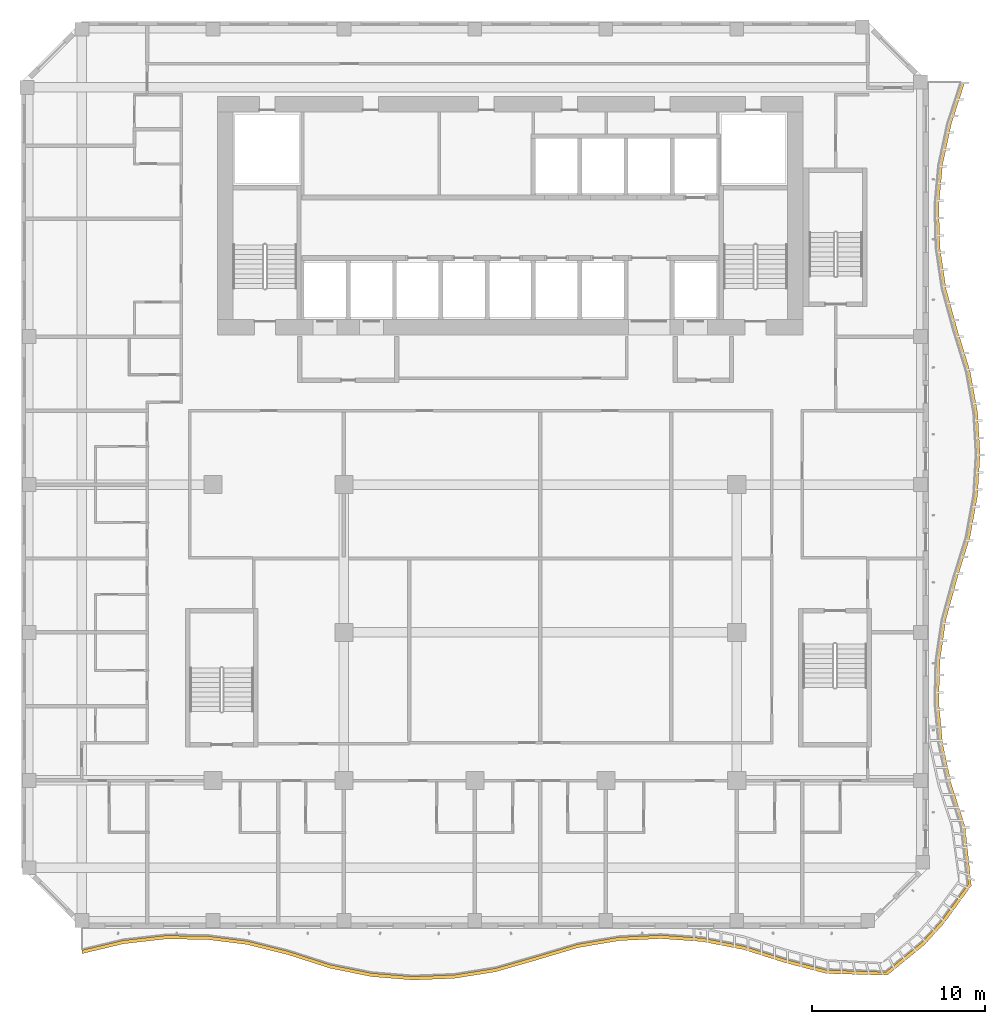
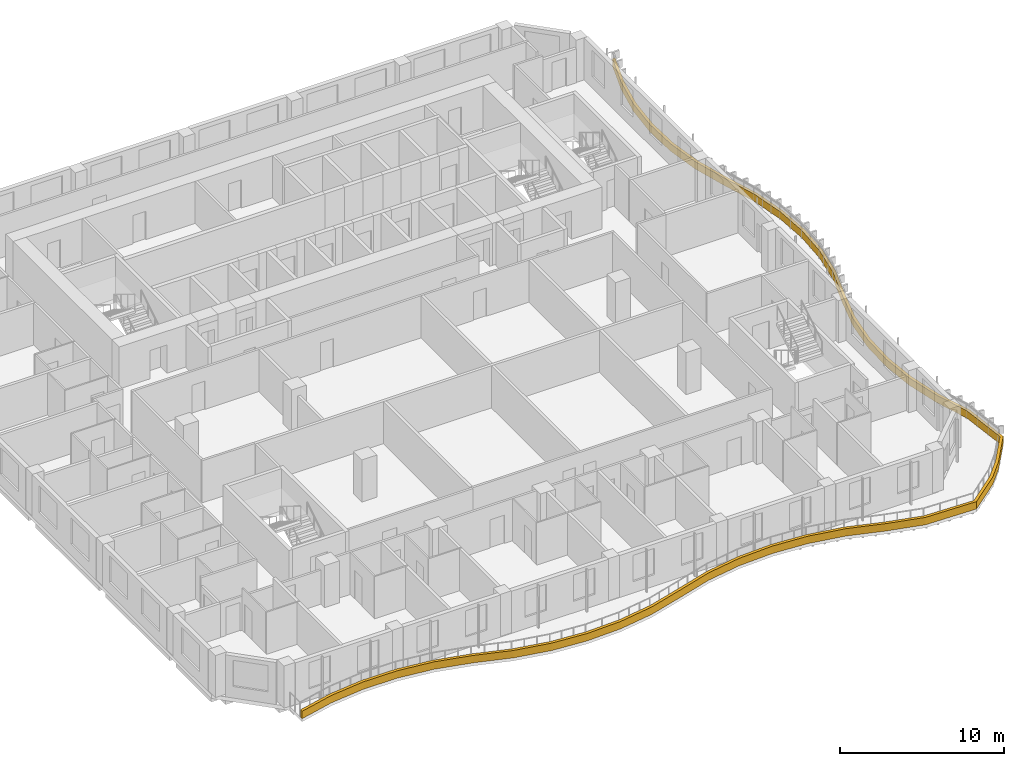
# One storey, part 17 of 23: 1 shading device.
"""IFC4 building model written with IfcOpenShell, lengths in metres."""

import ifcopenshell
import ifcopenshell.guid

model = None  # the IFC model being written
_history = None  # IfcOwnerHistory: only IFC2X3 demands one
_inside = {}  # id of a spatial element -> (the spatial element, [elements in it])
_under = {}  # id of a project, library or spatial element -> (it, [spatial elements below it])
_declared = {}  # id of a project -> (the project, [libraries it declares])
_typed = {}  # id of a type object -> (the type object, [elements of that type])
_made_of = {}  # id of a material, layer set ... -> (it, [elements and type objects made of it])


def new_model(schema):
    """Start an empty IFC model of exactly this schema.

    Asked for "IFC4X3", IfcOpenShell would pick the latest addendum, in which some entities
    have other attributes; the version numbers below select the first issue.
    IFC2X3 requires an IfcOwnerHistory on every rooted entity: one is made here for all.
    """
    global model, _history
    if schema == "IFC4X3":
        model = ifcopenshell.file(schema_version=(4, 3, 0, 0))
    else:
        model = ifcopenshell.file(schema=schema)
    _inside.clear()
    _under.clear()
    _declared.clear()
    _typed.clear()
    _made_of.clear()
    _history = None
    if model.schema == "IFC2X3":
        org = make("IfcOrganization", Name="unknown")
        user = make(
            "IfcPersonAndOrganization",
            ThePerson=make("IfcPerson", FamilyName="unknown"),
            TheOrganization=org,
        )
        app = make(
            "IfcApplication",
            ApplicationDeveloper=org,
            Version="unknown",
            ApplicationFullName="unknown",
            ApplicationIdentifier="unknown",
        )
        _history = make(
            "IfcOwnerHistory",
            OwningUser=user,
            OwningApplication=app,
            ChangeAction="ADDED",
            CreationDate=0,
        )
    return model


def make(cls, **values):
    """One entity of the class cls with the attributes given. An attribute that is None is left unset."""
    return model.create_entity(
        cls, **{name: value for name, value in values.items() if value is not None}
    )


def rooted(cls, **values):
    """An entity with a GlobalId (a new one), such as an element, a storey or a relation."""
    return make(cls, GlobalId=ifcopenshell.guid.new(), OwnerHistory=_history, **values)


def si_unit(unit_type, name, prefix=None):
    """IfcSIUnit, for example si_unit("LENGTHUNIT", "METRE", prefix="MILLI")."""
    return make("IfcSIUnit", UnitType=unit_type, Prefix=prefix, Name=name)


def assignment(units):
    """IfcUnitAssignment: the units of a project."""
    return None if units is None else make("IfcUnitAssignment", Units=units)


def point(xyz):
    """IfcCartesianPoint."""
    return None if xyz is None else make("IfcCartesianPoint", Coordinates=xyz)


def direction(xyz):
    """IfcDirection."""
    return None if xyz is None else make("IfcDirection", DirectionRatios=xyz)


def frame(location, z_axis=None, x_axis=None):
    """IfcAxis2Placement3D, a coordinate frame: its origin and axes. An axis left out is left unset."""
    return make(
        "IfcAxis2Placement3D",
        Location=point(location),
        Axis=direction(z_axis),
        RefDirection=direction(x_axis),
    )


def origin():
    """The frame at (0, 0, 0) with its axes left unset."""
    return frame((0.0, 0.0, 0.0))


def place(relative_to, where):
    """IfcLocalPlacement: puts the frame where relative to a parent placement (None: the world)."""
    return make(
        "IfcLocalPlacement", PlacementRelTo=relative_to, RelativePlacement=where
    )


def context(
    kind, dimensions, precision=None, world=None, true_north=None, identifier=None
):
    """IfcGeometricRepresentationContext, for example the 3D "Model" context."""
    return make(
        "IfcGeometricRepresentationContext",
        ContextIdentifier=identifier,
        ContextType=kind,
        CoordinateSpaceDimension=dimensions,
        Precision=precision,
        WorldCoordinateSystem=world,
        TrueNorth=true_north,
    )


def subcontext(parent, identifier, kind, view, scale=None):
    """IfcGeometricRepresentationSubContext, for example "Body" below "Model"."""
    return make(
        "IfcGeometricRepresentationSubContext",
        ContextIdentifier=identifier,
        ContextType=kind,
        ParentContext=parent,
        TargetScale=scale,
        TargetView=view,
    )


def project(units=None, contexts=None):
    """IfcProject with its units and contexts."""
    return rooted(
        "IfcProject",
        Name="project",
        RepresentationContexts=contexts,
        UnitsInContext=assignment(units),
    )


def spatial(cls, under=None, at=None, **own):
    """A site, building, storey or space (cls), placed at a placement, below another one or the project."""
    s = rooted(cls, ObjectPlacement=at, **own)
    if under is not None:
        _under.setdefault(under.id(), (under, []))[1].append(s)
    return s


def polyline(points):
    """IfcPolyline through the points."""
    return make("IfcPolyline", Points=[point(p) for p in points])


def outline(outer, holes=None, kind="AREA"):
    """IfcArbitraryClosedProfileDef: a profile drawn as a closed curve; with holes, ...WithVoids."""
    if holes is None:
        return make("IfcArbitraryClosedProfileDef", ProfileType=kind, OuterCurve=outer)
    return make(
        "IfcArbitraryProfileDefWithVoids",
        ProfileType=kind,
        OuterCurve=outer,
        InnerCurves=holes,
    )


def extrude(swept, where, along, depth):
    """IfcExtrudedAreaSolid: the profile swept, set in the frame where, extruded along a direction by depth."""
    return make(
        "IfcExtrudedAreaSolid",
        SweptArea=swept,
        Position=where,
        ExtrudedDirection=direction(along),
        Depth=depth,
    )


def shape(context_of_items, identifier, shape_type, items):
    """IfcShapeRepresentation: the items that make up one representation, for example the "Body"."""
    return make(
        "IfcShapeRepresentation",
        ContextOfItems=context_of_items,
        RepresentationIdentifier=identifier,
        RepresentationType=shape_type,
        Items=items,
    )


def source(mapping_origin, context_of_items, identifier, shape_type, items):
    """IfcRepresentationMap: a shape defined once, which mapped items show again and again."""
    return make(
        "IfcRepresentationMap",
        MappingOrigin=mapping_origin,
        MappedRepresentation=shape(context_of_items, identifier, shape_type, items),
    )


def transform(
    local_origin,
    x_axis=None,
    y_axis=None,
    z_axis=None,
    scale=None,
    scale2=None,
    scale3=None,
    uniform=True,
):
    """IfcCartesianTransformationOperator3D, or its non-uniform kind. x_axis, y_axis, z_axis: its Axis1, 2, 3."""
    if uniform:
        return make(
            "IfcCartesianTransformationOperator3D",
            Axis1=direction(x_axis),
            Axis2=direction(y_axis),
            LocalOrigin=point(local_origin),
            Scale=scale,
            Axis3=direction(z_axis),
        )
    return make(
        "IfcCartesianTransformationOperator3DnonUniform",
        Axis1=direction(x_axis),
        Axis2=direction(y_axis),
        LocalOrigin=point(local_origin),
        Scale=scale,
        Axis3=direction(z_axis),
        Scale2=scale2,
        Scale3=scale3,
    )


def mapped(mapping_source, mapping_target):
    """IfcMappedItem: shows the shape of a source again, moved by a transform."""
    return make(
        "IfcMappedItem", MappingSource=mapping_source, MappingTarget=mapping_target
    )


def material(Name=None, Category=None):
    """IfcMaterial."""
    return make("IfcMaterial", Name=Name, Category=Category)


def layer(
    of_material, thickness, ventilated=None, Name=None, Category=None, Priority=None
):
    """IfcMaterialLayer: one layer of a wall or slab, of a material (None: an air gap)."""
    return make(
        "IfcMaterialLayer",
        Material=of_material,
        LayerThickness=thickness,
        IsVentilated=ventilated,
        Name=Name,
        Category=Category,
        Priority=Priority,
    )


def layer_set(layers, Name=None):
    """IfcMaterialLayerSet."""
    return make("IfcMaterialLayerSet", MaterialLayers=layers, LayerSetName=Name)


def made_of(thing, what):
    """Note that an element or type object is made of a material, layer set ...; save() writes the relation."""
    if what is not None:
        _made_of.setdefault(what.id(), (what, []))[1].append(thing)
    return thing


def type_object(cls, material=None, **own):
    """A type object (cls), such as IfcWallType, which elements share."""
    return made_of(rooted(cls, **own), material)


def element(
    cls,
    number,
    at=None,
    inside=None,
    cuts=None,
    type_object=None,
    material=None,
    context=None,
    identifier="Body",
    shape_type=None,
    held_by="IfcProductDefinitionShape",
    body=None,
    shapes=None,
    **own,
):
    """One element of the class cls, such as IfcWall. Its Tag is "e" and its number.

    at: its placement. inside: the storey or other place that contains it. cuts: it is an
    opening in that element (IfcRelVoidsElement). A single representation is given by context,
    identifier, shape_type and body (its items); several are given by shapes. held_by: the class
    of the entity that holds the representations. save() writes the other relations.
    """
    e = rooted(cls, Tag="e%d" % number, ObjectPlacement=at, **own)
    if body is not None:
        shapes = [shape(context, identifier, shape_type, body)]
    if shapes is not None:
        e.Representation = make(held_by, Representations=shapes)
    if inside is not None:
        _inside.setdefault(inside.id(), (inside, []))[1].append(e)
    if cuts is not None:
        rooted(
            "IfcRelVoidsElement", RelatingBuildingElement=cuts, RelatedOpeningElement=e
        )
    if type_object is not None:
        _typed.setdefault(type_object.id(), (type_object, []))[1].append(e)
    return made_of(e, material)


def aggregate(whole, parts):
    """IfcRelAggregates: a whole, such as a stair, and the parts it consists of."""
    return rooted("IfcRelAggregates", RelatingObject=whole, RelatedObjects=parts)


def save(model, path):
    """Write the relations noted so far, then the file.

    IfcRelAggregates (storeys below a building ...), IfcRelContainedInSpatialStructure (elements
    in a storey), IfcRelDefinesByType, IfcRelAssociatesMaterial and IfcRelDeclares: one each for
    every whole, place, type object, material and project.
    """
    for whole, parts in _under.values():
        aggregate(whole, parts)
    for where, things in _inside.values():
        rooted(
            "IfcRelContainedInSpatialStructure",
            RelatedElements=things,
            RelatingStructure=where,
        )
    for kind, things in _typed.values():
        rooted("IfcRelDefinesByType", RelatedObjects=things, RelatingType=kind)
    for what, things in _made_of.values():
        rooted("IfcRelAssociatesMaterial", RelatedObjects=things, RelatingMaterial=what)
    for by, libraries in _declared.values():
        rooted("IfcRelDeclares", RelatingContext=by, RelatedDefinitions=libraries)
    model.write(path)


model = new_model("IFC4")

# Units and contexts
model_context = context("Model", 3, precision=1e-05, world=origin(), true_north=direction((0.0, 1.0)))
body_context = subcontext(model_context, "Body", "Model", "MODEL_VIEW")
ifc_project = project(units=[si_unit("LENGTHUNIT", "METRE"), si_unit("AREAUNIT", "SQUARE_METRE"), si_unit("VOLUMEUNIT", "CUBIC_METRE"), si_unit("PLANEANGLEUNIT", "RADIAN"), si_unit("MASSUNIT", "GRAM", prefix="KILO")], contexts=[model_context])

# Site, building, storey
site_placement = place(None, origin())
site = spatial("IfcSite", under=ifc_project, at=site_placement, CompositionType="ELEMENT")
building_placement = place(site_placement, origin())
building = spatial("IfcBuilding", under=site, at=building_placement, Name="Kilnfold Tower and Market Hall", CompositionType="ELEMENT")
storey_placement = place(building_placement, frame((0.0, 0.0, 178.699951171875)))
storey = spatial("IfcBuildingStorey", under=building, at=storey_placement, Name="L42", CompositionType="ELEMENT", Elevation=178.699951171875)

# Shading device
ifc_material = material(Name="Precast concrete C50/60", Category="concrete")
ifc_layer = layer(ifc_material, 0.550048828125)
ifc_layer_set = layer_set([ifc_layer], Name="Precast concrete C50/60")
shading_device_type = type_object("IfcShadingDeviceType", Name="BALCONY UPSTAND 550", PredefinedType="USERDEFINED", material=ifc_layer_set)
shared_shape = source(origin(), body_context, "Body", "SweptSolid", [
    extrude(outline(polyline([(-23.75, -27.724365234375), (-21.355224609375, -27.15234375), (-18.96044921875, -26.879150390625), (-16.56591796875, -26.892578125), (-14.171142578125, -27.193115234375), (-11.7763671875, -27.794189453125), (-9.381591796875, -28.564697265625), (-6.98681640625, -29.052001953125), (-4.592041015625, -29.24560546875), (-2.197509765625, -29.153564453125), (0.197509765625, -28.77197265625), (2.592041015625, -28.08349609375), (4.98681640625, -27.370361328125), (7.381591796875, -26.9658203125), (9.7763671875, -26.851318359375), (12.171142578125, -27.0224609375), (14.56591796875, -27.486572265625), (16.96044921875, -28.245849609375), (19.355224609375, -28.871337890625), (22.876708984375, -28.97021484375), (25.03759765625, -27.2041015625), (26.1474609375, -25.98095703125), (27.746337890625, -23.783935546875), (27.383544921875, -20.355224609375), (26.60400390625, -17.96044921875), (26.084716796875, -15.56591796875), (25.861328125, -13.171142578125), (25.923583984375, -10.7763671875), (26.2744140625, -8.381591796875), (26.929443359375, -5.98681640625), (27.669921875, -3.592041015625), (28.105712890625, -1.197509765625), (28.25, 1.197509765625), (28.10888671875, 3.592041015625), (27.67626953125, 5.98681640625), (26.938232421875, 8.381591796875), (26.279541015625, 10.7763671875), (25.92578125, 13.171142578125), (25.8603515625, 15.56591796875), (26.080810546875, 17.96044921875), (26.5966796875, 20.355224609375), (27.37548828125, 22.75), (27.175537109375, 22.75), (26.396728515625, 20.355224609375), (25.880859375, 17.96044921875), (25.660400390625, 15.56591796875), (25.7255859375, 13.171142578125), (26.07958984375, 10.7763671875), (26.73828125, 8.381591796875), (27.476318359375, 5.98681640625), (27.908935546875, 3.592041015625), (28.050048828125, 1.197509765625), (27.90576171875, -1.197509765625), (27.469970703125, -3.592041015625), (26.7294921875, -5.98681640625), (26.07421875, -8.381591796875), (25.723388671875, -10.7763671875), (25.661376953125, -13.171142578125), (25.884765625, -15.56591796875), (26.404052734375, -17.96044921875), (27.18359375, -20.355224609375), (27.5615234375, -23.70751953125), (26.006103515625, -25.839599609375), (24.896240234375, -27.062744140625), (22.80029296875, -28.785400390625), (19.355224609375, -28.67138671875), (16.96044921875, -28.0458984375), (14.56591796875, -27.28662109375), (12.171142578125, -26.822509765625), (9.7763671875, -26.6513671875), (7.381591796875, -26.765625), (4.98681640625, -27.17041015625), (2.592041015625, -27.88330078125), (0.197509765625, -28.572021484375), (-2.197509765625, -28.95361328125), (-4.592041015625, -29.04541015625), (-6.98681640625, -28.85205078125), (-9.381591796875, -28.36474609375), (-11.7763671875, -27.59423828125), (-14.171142578125, -26.9931640625), (-16.56591796875, -26.692626953125), (-18.96044921875, -26.67919921875), (-21.355224609375, -26.952392578125), (-23.75, -27.5244140625), (-23.75, -27.724365234375)])), origin(), (0.0, 0.0, 1.0), 0.550048828125),
])
shading_device_placement = place(storey_placement, origin())
element("IfcShadingDevice", 1, at=shading_device_placement, inside=storey, type_object=shading_device_type, Name="Balcony fascia L42", ObjectType="FASCIA", PredefinedType="USERDEFINED", context=body_context, shape_type="MappedRepresentation", body=[
    mapped(shared_shape, transform((0.0, 0.0, 0.0))),
])

save(model, "model.ifc")
